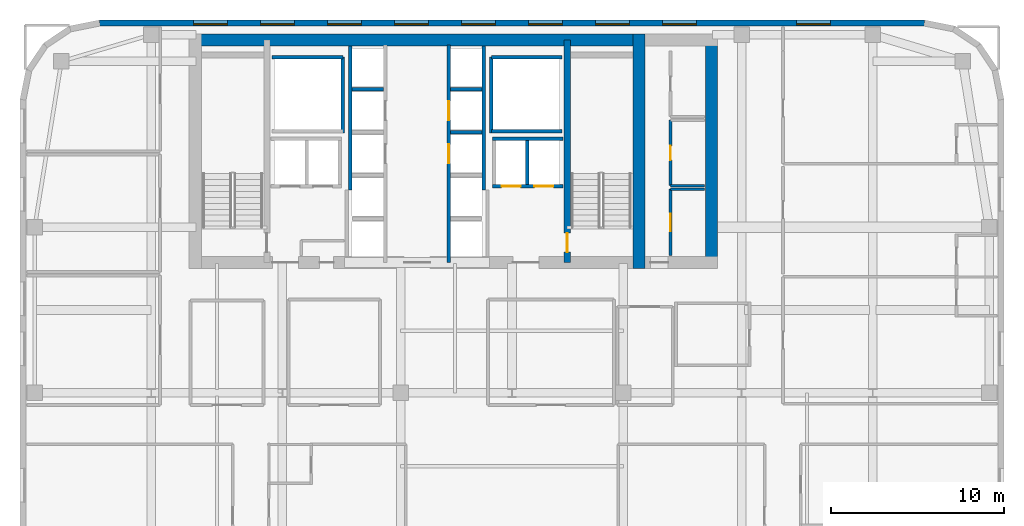
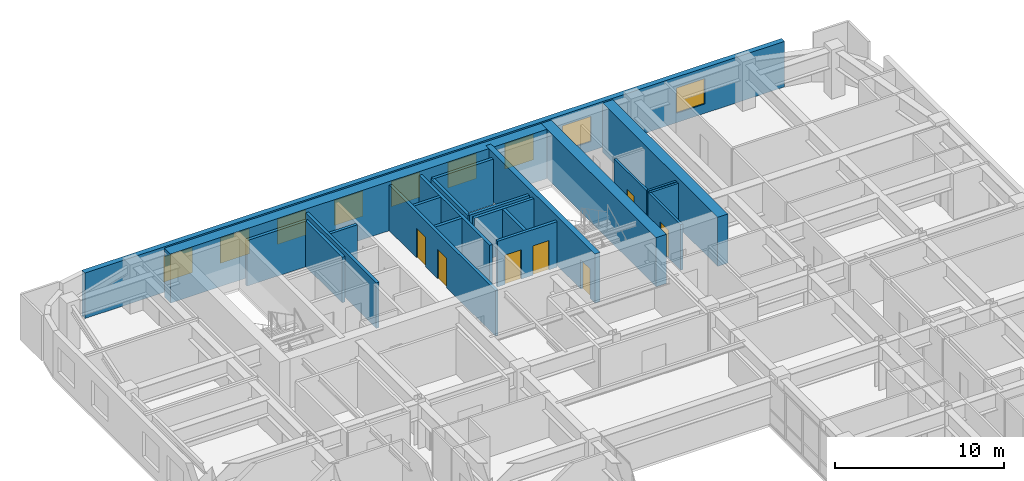
# One storey, part 13 of 15: 23 walls, 9 windows, 7 doors, 16 openings.
"""IFC4 building model written with IfcOpenShell, lengths in metres."""

from ifc_helpers import new_model, si_unit, direction, frame, frame_2d, origin, place, context, subcontext, project, spatial, rectangle, extrude, source, transform, mapped, material, layer, layer_set, type_object, type_shapes, element, fill, save


model = new_model("IFC4")

# Units and contexts
model_context = context("Model", 3, precision=1e-05, world=origin(), true_north=direction((0.0, 1.0)))
body_context = subcontext(model_context, "Body", "Model", "MODEL_VIEW")
ifc_project = project(units=[si_unit("LENGTHUNIT", "METRE"), si_unit("AREAUNIT", "SQUARE_METRE"), si_unit("VOLUMEUNIT", "CUBIC_METRE"), si_unit("PLANEANGLEUNIT", "RADIAN"), si_unit("MASSUNIT", "GRAM", prefix="KILO")], contexts=[model_context])

# Site, building, storey
site_placement = place(None, origin())
site = spatial("IfcSite", under=ifc_project, at=site_placement, CompositionType="ELEMENT")
building_placement = place(site_placement, origin())
building = spatial("IfcBuilding", under=site, at=building_placement, Name="Tolvann Quenvar Hotel", CompositionType="ELEMENT")
storey_placement = place(building_placement, frame((0.0, 0.0, 143.5)))
storey = spatial("IfcBuildingStorey", under=building, at=storey_placement, Name="L37", CompositionType="ELEMENT", Elevation=143.5)

# Walls
ifc_material_1 = material(Name="Concrete S65 (65 MPa)", Category="concrete")
ifc_layer_1 = layer(ifc_material_1, 0.699951171875)
ifc_layer_set_1 = layer_set([ifc_layer_1], Name="Concrete S65 (65 MPa)")
wall_type_1 = type_object("IfcWallType", Name="WALL_CORE_700", PredefinedType="SHEAR", material=ifc_layer_set_1)
wall_1_placement = place(storey_placement, frame((9.800048828125, 44.85009765625, 0.0), z_axis=(0.0, 0.0, 1.0), x_axis=(1.0, 0.0, 0.0)))
element("IfcWall", 1, at=wall_1_placement, inside=storey, type_object=wall_type_1, Name="Rear Core N Shear Wall (L37)", PredefinedType="SHEAR", context=body_context, shape_type="SweptSolid", body=[
    extrude(rectangle(XDim=26.39990234375, YDim=0.699951171875, at=frame_2d((13.199951171875, 0.0))), origin(), (0.0, 0.0, 1.0), 3.550048828125),
])
for number, where, z_axis, x_axis, name in (
    (2, (35.85009765625, 31.60009765625, 0.0), (0.0, 0.0, 1.0), (0.0, 1.0, 0.0), "Rear Core E Shear Wall (L37)"),
    (3, (40.050048828125, 31.60009765625, 0.0), (0.0, 0.0, 1.0), (0.0, 1.0, 0.0), "Core East Annex Shear Wall ANN-E (L37)"),
):
    element("IfcWall", number, at=place(storey_placement, frame(where, z_axis=z_axis, x_axis=x_axis)), inside=storey, type_object=wall_type_1, Name=name, PredefinedType="SHEAR", context=body_context, shape_type="SweptSolid", body=[
        extrude(rectangle(XDim=13.599853515625, YDim=0.699951171875, at=frame_2d((6.7998046875, 0.0))), origin(), (0.0, 0.0, 1.0), 3.550048828125),
    ])

# Wall, opening, door
ifc_layer_2 = layer(ifc_material_1, 0.35009765625)
ifc_layer_set_2 = layer_set([ifc_layer_2], Name="Concrete S65 (65 MPa)")
wall_type_2 = type_object("IfcWallType", Name="WALL_CORE_INT_350", PredefinedType="SHEAR", material=ifc_layer_set_2)
wall_2_placement = place(storey_placement, frame((31.699951171875, 31.949951171875, 0.0), z_axis=(0.0, 0.0, 1.0), x_axis=(0.0, 1.0, 0.0)))
wall_2 = element("IfcWall", 4, at=wall_2_placement, inside=storey, type_object=wall_type_2, Name="Core Internal Web Shear Wall WEB-E (L37)", PredefinedType="SHEAR", context=body_context, shape_type="SweptSolid", body=[
    extrude(rectangle(XDim=12.900146484375, YDim=0.35009765625, at=frame_2d((6.4501953125, 0.0))), origin(), (0.0, 0.0, 1.0), 3.550048828125),
])
opening_1_placement = place(wall_2_placement, frame((1.7001953125, 0.0, 0.0), z_axis=(0.0, 0.0, 1.0), x_axis=(-1.0, 0.0, 0.0)))
opening_1 = element("IfcOpeningElement", 5, at=opening_1_placement, cuts=wall_2, Name="Opening FD-120", PredefinedType="OPENING", context=body_context, shape_type="SweptSolid", body=[
    extrude(rectangle(XDim=1.10009765625, YDim=2.1201171875, at=frame_2d((0.550048828125, 1.06005859375))), frame((0.0, 0.18505859375, 0.0), z_axis=(0.0, -1.0, 0.0), x_axis=(1.0, 0.0, 0.0)), (0.0, 0.0, 1.0), 0.3701171875),
])
ifc_material_2 = material(Name="Pressed galvanised steel fire-rated door set", Category="steel")
door_type_1 = type_object("IfcDoorType", Name="DOOR_FIRE_STAIR_1100", OperationType="NOTDEFINED", PredefinedType="DOOR", material=ifc_material_2)
shared_shape_1 = source(origin(), body_context, "Body", "SweptSolid", [
    extrude(rectangle(XDim=1.10009765625, YDim=2.1201171875, at=frame_2d((0.550048828125, 1.06005859375))), frame((0.0, 0.02490234375, 0.0), z_axis=(0.0, -1.0, 0.0), x_axis=(1.0, 0.0, 0.0)), (0.0, 0.0, 1.0), 0.050048828125),
])
type_shapes(door_type_1, [shared_shape_1])
door_1_placement = place(opening_1_placement, origin())
door_1 = element("IfcDoor", 6, at=door_1_placement, inside=storey, type_object=door_type_1, Name="Exit Stair ST-C2 Fire Door (L37)", OperationType="SINGLE_SWING_RIGHT", OverallHeight=2.1201171875, OverallWidth=1.10009765625, PredefinedType="DOOR", context=body_context, shape_type="MappedRepresentation", body=[
    mapped(shared_shape_1, transform((0.0, 0.0, 0.0), x_axis=(1.0, 0.0, 0.0), y_axis=(0.0, 1.0, 0.0), z_axis=(0.0, 0.0, 1.0), scale=1.0)),
])
fill(opening_1, door_1)

# Wall, openings, windows
ifc_material_3 = material(Name="Kiln-fired red and buff architectural clay brickwork and terracotta masonry", Category="masonry")
ifc_layer_3 = layer(ifc_material_3, 0.35009765625)
ifc_layer_set_3 = layer_set([ifc_layer_3], Name="Kiln-fired red and buff architectural clay brickwork and terracotta masonry")
wall_type_3 = type_object("IfcWallType", Name="WALL_EXT_BRICK_350", PredefinedType="SOLIDWALL", material=ifc_layer_set_3)
wall_3_placement = place(storey_placement, frame((52.3828125, 45.824951171875, 0.0), z_axis=(0.0, 0.0, 1.0), x_axis=(-1.0, 0.0, 0.0)))
wall_3 = element("IfcWall", 7, at=wall_3_placement, inside=storey, type_object=wall_type_3, Name="Exterior Chicago Brick Wall L37-E18", PredefinedType="SOLIDWALL", context=body_context, shape_type="SweptSolid", body=[
    extrude(rectangle(XDim=47.765625, YDim=0.35009765625, at=frame_2d((23.8828125, 0.0))), origin(), (0.0, 0.0, 1.0), 3.2900390625),
])
opening_2_placement = place(wall_3_placement, frame((5.446044921875, 0.0, 0.679931640625)))
opening_2 = element("IfcOpeningElement", 8, at=opening_2_placement, cuts=wall_3, Name="Opening W-10", PredefinedType="OPENING", context=body_context, shape_type="SweptSolid", body=[
    extrude(rectangle(XDim=1.949951171875, YDim=1.820068359375, at=frame_2d((0.97509765625, 0.91015625))), frame((0.0, 0.18505859375, 0.0), z_axis=(0.0, -1.0, 0.0), x_axis=(1.0, 0.0, 0.0)), (0.0, 0.0, 1.0), 0.3701171875),
])
opening_3_placement = place(wall_3_placement, frame((13.20703125, 0.0, 0.679931640625)))
opening_3 = element("IfcOpeningElement", 9, at=opening_3_placement, cuts=wall_3, Name="Opening W-10", PredefinedType="OPENING", context=body_context, shape_type="SweptSolid", body=[
    extrude(rectangle(XDim=1.949951171875, YDim=1.820068359375, at=frame_2d((0.97509765625, 0.91015625))), frame((0.0, 0.18505859375, 0.0), z_axis=(0.0, -1.0, 0.0), x_axis=(1.0, 0.0, 0.0)), (0.0, 0.0, 1.0), 0.3701171875),
])
opening_4_placement = place(wall_3_placement, frame((17.0869140625, 0.0, 0.679931640625)))
opening_4 = element("IfcOpeningElement", 10, at=opening_4_placement, cuts=wall_3, Name="Opening W-10", PredefinedType="OPENING", context=body_context, shape_type="SweptSolid", body=[
    extrude(rectangle(XDim=1.949951171875, YDim=1.820068359375, at=frame_2d((0.97509765625, 0.91015625))), frame((0.0, 0.18505859375, 0.0), z_axis=(0.0, -1.0, 0.0), x_axis=(1.0, 0.0, 0.0)), (0.0, 0.0, 1.0), 0.3701171875),
])
opening_5_placement = place(wall_3_placement, frame((20.968017578125, 0.0, 0.679931640625)))
opening_5 = element("IfcOpeningElement", 11, at=opening_5_placement, cuts=wall_3, Name="Opening W-10", PredefinedType="OPENING", context=body_context, shape_type="SweptSolid", body=[
    extrude(rectangle(XDim=1.949951171875, YDim=1.820068359375, at=frame_2d((0.97509765625, 0.91015625))), frame((0.0, 0.18505859375, 0.0), z_axis=(0.0, -1.0, 0.0), x_axis=(1.0, 0.0, 0.0)), (0.0, 0.0, 1.0), 0.3701171875),
])
opening_6_placement = place(wall_3_placement, frame((24.847900390625, 0.0, 0.679931640625)))
opening_6 = element("IfcOpeningElement", 12, at=opening_6_placement, cuts=wall_3, Name="Opening W-10", PredefinedType="OPENING", context=body_context, shape_type="SweptSolid", body=[
    extrude(rectangle(XDim=1.949951171875, YDim=1.820068359375, at=frame_2d((0.97509765625, 0.91015625))), frame((0.0, 0.18505859375, 0.0), z_axis=(0.0, -1.0, 0.0), x_axis=(1.0, 0.0, 0.0)), (0.0, 0.0, 1.0), 0.3701171875),
])
opening_7_placement = place(wall_3_placement, frame((28.72900390625, 0.0, 0.679931640625)))
opening_7 = element("IfcOpeningElement", 13, at=opening_7_placement, cuts=wall_3, Name="Opening W-10", PredefinedType="OPENING", context=body_context, shape_type="SweptSolid", body=[
    extrude(rectangle(XDim=1.949951171875, YDim=1.820068359375, at=frame_2d((0.97509765625, 0.91015625))), frame((0.0, 0.18505859375, 0.0), z_axis=(0.0, -1.0, 0.0), x_axis=(1.0, 0.0, 0.0)), (0.0, 0.0, 1.0), 0.3701171875),
])
opening_8_placement = place(wall_3_placement, frame((32.60888671875, 0.0, 0.679931640625)))
opening_8 = element("IfcOpeningElement", 14, at=opening_8_placement, cuts=wall_3, Name="Opening W-10", PredefinedType="OPENING", context=body_context, shape_type="SweptSolid", body=[
    extrude(rectangle(XDim=1.949951171875, YDim=1.820068359375, at=frame_2d((0.97509765625, 0.91015625))), frame((0.0, 0.18505859375, 0.0), z_axis=(0.0, -1.0, 0.0), x_axis=(1.0, 0.0, 0.0)), (0.0, 0.0, 1.0), 0.3701171875),
])
opening_9_placement = place(wall_3_placement, frame((36.489013671875, 0.0, 0.679931640625)))
opening_9 = element("IfcOpeningElement", 15, at=opening_9_placement, cuts=wall_3, Name="Opening W-10", PredefinedType="OPENING", context=body_context, shape_type="SweptSolid", body=[
    extrude(rectangle(XDim=1.949951171875, YDim=1.820068359375, at=frame_2d((0.97509765625, 0.91015625))), frame((0.0, 0.18505859375, 0.0), z_axis=(0.0, -1.0, 0.0), x_axis=(1.0, 0.0, 0.0)), (0.0, 0.0, 1.0), 0.3701171875),
])
opening_10_placement = place(wall_3_placement, frame((40.3701171875, 0.0, 0.679931640625)))
opening_10 = element("IfcOpeningElement", 16, at=opening_10_placement, cuts=wall_3, Name="Opening W-10", PredefinedType="OPENING", context=body_context, shape_type="SweptSolid", body=[
    extrude(rectangle(XDim=1.949951171875, YDim=1.820068359375, at=frame_2d((0.97509765625, 0.91015625))), frame((0.0, 0.18505859375, 0.0), z_axis=(0.0, -1.0, 0.0), x_axis=(1.0, 0.0, 0.0)), (0.0, 0.0, 1.0), 0.3701171875),
])
ifc_material_4 = material(Name="Thermally broken bronze-anodised aluminium frame with double low-E glazing", Category="aluminium")
window_type = type_object("IfcWindowType", Name="WIN_CLB_1950x1850", PartitioningType="DOUBLE_PANEL_VERTICAL", PredefinedType="WINDOW", material=ifc_material_4)
shared_shape_2 = source(origin(), body_context, "Body", "SweptSolid", [
    extrude(rectangle(XDim=1.949951171875, YDim=1.820068359375, at=frame_2d((0.97509765625, 0.91015625))), frame((0.0, 0.090087890625, 0.0), z_axis=(0.0, -1.0, 0.0), x_axis=(1.0, 0.0, 0.0)), (0.0, 0.0, 1.0), 0.06005859375),
])
type_shapes(window_type, [shared_shape_2])
window_1_placement = place(opening_2_placement, origin())
window_1 = element("IfcWindow", 17, at=window_1_placement, inside=storey, type_object=window_type, Name="Chicago Window W-10 (EW-L37-E18-W01)", OverallHeight=1.820068359375, OverallWidth=1.949951171875, PartitioningType="DOUBLE_PANEL_VERTICAL", PredefinedType="WINDOW", context=body_context, shape_type="MappedRepresentation", body=[
    mapped(shared_shape_2, transform((0.0, 0.0, 0.0), x_axis=(1.0, 0.0, 0.0), y_axis=(0.0, 1.0, 0.0), z_axis=(0.0, 0.0, 1.0), scale=1.0)),
])
fill(opening_2, window_1)
window_2_placement = place(opening_3_placement, origin())
window_2 = element("IfcWindow", 18, at=window_2_placement, inside=storey, type_object=window_type, Name="Chicago Window W-10 (EW-L37-E18-W02)", OverallHeight=1.820068359375, OverallWidth=1.949951171875, PartitioningType="DOUBLE_PANEL_VERTICAL", PredefinedType="WINDOW", context=body_context, shape_type="MappedRepresentation", body=[
    mapped(shared_shape_2, transform((0.0, 0.0, 0.0), x_axis=(1.0, 0.0, 0.0), y_axis=(0.0, 1.0, 0.0), z_axis=(0.0, 0.0, 1.0), scale=1.0)),
])
fill(opening_3, window_2)
window_3_placement = place(opening_4_placement, origin())
window_3 = element("IfcWindow", 19, at=window_3_placement, inside=storey, type_object=window_type, Name="Chicago Window W-10 (EW-L37-E18-W03)", OverallHeight=1.820068359375, OverallWidth=1.949951171875, PartitioningType="DOUBLE_PANEL_VERTICAL", PredefinedType="WINDOW", context=body_context, shape_type="MappedRepresentation", body=[
    mapped(shared_shape_2, transform((0.0, 0.0, 0.0), x_axis=(1.0, 0.0, 0.0), y_axis=(0.0, 1.0, 0.0), z_axis=(0.0, 0.0, 1.0), scale=1.0)),
])
fill(opening_4, window_3)
window_4_placement = place(opening_5_placement, origin())
window_4 = element("IfcWindow", 20, at=window_4_placement, inside=storey, type_object=window_type, Name="Chicago Window W-10 (EW-L37-E18-W04)", OverallHeight=1.820068359375, OverallWidth=1.949951171875, PartitioningType="DOUBLE_PANEL_VERTICAL", PredefinedType="WINDOW", context=body_context, shape_type="MappedRepresentation", body=[
    mapped(shared_shape_2, transform((0.0, 0.0, 0.0), x_axis=(1.0, 0.0, 0.0), y_axis=(0.0, 1.0, 0.0), z_axis=(0.0, 0.0, 1.0), scale=1.0)),
])
fill(opening_5, window_4)
window_5_placement = place(opening_6_placement, origin())
window_5 = element("IfcWindow", 21, at=window_5_placement, inside=storey, type_object=window_type, Name="Chicago Window W-10 (EW-L37-E18-W05)", OverallHeight=1.820068359375, OverallWidth=1.949951171875, PartitioningType="DOUBLE_PANEL_VERTICAL", PredefinedType="WINDOW", context=body_context, shape_type="MappedRepresentation", body=[
    mapped(shared_shape_2, transform((0.0, 0.0, 0.0), x_axis=(1.0, 0.0, 0.0), y_axis=(0.0, 1.0, 0.0), z_axis=(0.0, 0.0, 1.0), scale=1.0)),
])
fill(opening_6, window_5)
window_6_placement = place(opening_7_placement, origin())
window_6 = element("IfcWindow", 22, at=window_6_placement, inside=storey, type_object=window_type, Name="Chicago Window W-10 (EW-L37-E18-W06)", OverallHeight=1.820068359375, OverallWidth=1.949951171875, PartitioningType="DOUBLE_PANEL_VERTICAL", PredefinedType="WINDOW", context=body_context, shape_type="MappedRepresentation", body=[
    mapped(shared_shape_2, transform((0.0, 0.0, 0.0), x_axis=(1.0, 0.0, 0.0), y_axis=(0.0, 1.0, 0.0), z_axis=(0.0, 0.0, 1.0), scale=1.0)),
])
fill(opening_7, window_6)
window_7_placement = place(opening_8_placement, origin())
window_7 = element("IfcWindow", 23, at=window_7_placement, inside=storey, type_object=window_type, Name="Chicago Window W-10 (EW-L37-E18-W07)", OverallHeight=1.820068359375, OverallWidth=1.949951171875, PartitioningType="DOUBLE_PANEL_VERTICAL", PredefinedType="WINDOW", context=body_context, shape_type="MappedRepresentation", body=[
    mapped(shared_shape_2, transform((0.0, 0.0, 0.0), x_axis=(1.0, 0.0, 0.0), y_axis=(0.0, 1.0, 0.0), z_axis=(0.0, 0.0, 1.0), scale=1.0)),
])
fill(opening_8, window_7)
window_8_placement = place(opening_9_placement, origin())
window_8 = element("IfcWindow", 24, at=window_8_placement, inside=storey, type_object=window_type, Name="Chicago Window W-10 (EW-L37-E18-W08)", OverallHeight=1.820068359375, OverallWidth=1.949951171875, PartitioningType="DOUBLE_PANEL_VERTICAL", PredefinedType="WINDOW", context=body_context, shape_type="MappedRepresentation", body=[
    mapped(shared_shape_2, transform((0.0, 0.0, 0.0), x_axis=(1.0, 0.0, 0.0), y_axis=(0.0, 1.0, 0.0), z_axis=(0.0, 0.0, 1.0), scale=1.0)),
])
fill(opening_9, window_8)
window_9_placement = place(opening_10_placement, origin())
window_9 = element("IfcWindow", 25, at=window_9_placement, inside=storey, type_object=window_type, Name="Chicago Window W-10 (EW-L37-E18-W09)", OverallHeight=1.820068359375, OverallWidth=1.949951171875, PartitioningType="DOUBLE_PANEL_VERTICAL", PredefinedType="WINDOW", context=body_context, shape_type="MappedRepresentation", body=[
    mapped(shared_shape_2, transform((0.0, 0.0, 0.0), x_axis=(1.0, 0.0, 0.0), y_axis=(0.0, 1.0, 0.0), z_axis=(0.0, 0.0, 1.0), scale=1.0)),
])
fill(opening_10, window_9)

# Wall
ifc_material_5 = material(Name="Acoustic twin-stud fire-rated gypsum plasterboard partition")
ifc_layer_4 = layer(ifc_material_5, 0.14990234375)
ifc_layer_set_4 = layer_set([ifc_layer_4], Name="Acoustic twin-stud fire-rated gypsum plasterboard partition")
wall_type_4 = type_object("IfcWallType", Name="WALL_PART_SUITE_150", PredefinedType="PARTITIONING", material=ifc_layer_set_4)
wall_4_placement = place(storey_placement, frame((37.679931640625, 36.199951171875, 0.0), z_axis=(0.0, 0.0, 1.0), x_axis=(1.0, 0.0, 0.0)))
element("IfcWall", 26, at=wall_4_placement, inside=storey, type_object=wall_type_4, Name="Interior Partition PT-SPC-L37-RECPL-1-N", PredefinedType="PARTITIONING", context=body_context, shape_type="SweptSolid", body=[
    extrude(rectangle(XDim=1.965087890625, YDim=0.14990234375, at=frame_2d((0.982421875, 0.0))), origin(), (0.0, 0.0, 1.0), 3.2900390625),
])

# Wall, opening, door
wall_5_placement = place(storey_placement, frame((37.679931640625, 32.35498046875, 0.0), z_axis=(0.0, 0.0, 1.0), x_axis=(0.0, 1.0, 0.0)))
wall_5 = element("IfcWall", 27, at=wall_5_placement, inside=storey, type_object=wall_type_4, Name="Interior Partition PT-SPC-L37-RECPL-1-W", PredefinedType="PARTITIONING", context=body_context, shape_type="SweptSolid", body=[
    extrude(rectangle(XDim=3.844970703125, YDim=0.14990234375, at=frame_2d((1.92236328125, 0.0))), origin(), (0.0, 0.0, 1.0), 3.2900390625),
])
opening_11_placement = place(wall_5_placement, frame((1.41259765625, 0.0, 0.0)))
opening_11 = element("IfcOpeningElement", 28, at=opening_11_placement, cuts=wall_5, Name="Opening HD-01", PredefinedType="OPENING", context=body_context, shape_type="SweptSolid", body=[
    extrude(rectangle(XDim=1.02001953125, YDim=2.030029296875, at=frame_2d((0.510009765625, 1.01513671875))), frame((0.0, 0.0849609375, 0.0), z_axis=(0.0, -1.0, 0.0), x_axis=(1.0, 0.0, 0.0)), (0.0, 0.0, 1.0), 0.169921875),
])
door_type_2 = type_object("IfcDoorType", Name="DOOR_BOH_1020", OperationType="NOTDEFINED", PredefinedType="DOOR", material=ifc_material_2)
shared_shape_3 = source(origin(), body_context, "Body", "SweptSolid", [
    extrude(rectangle(XDim=1.02001953125, YDim=2.030029296875, at=frame_2d((0.510009765625, 1.01513671875))), frame((0.0, 0.02490234375, 0.0), z_axis=(0.0, -1.0, 0.0), x_axis=(1.0, 0.0, 0.0)), (0.0, 0.0, 1.0), 0.050048828125),
])
type_shapes(door_type_2, [shared_shape_3])
door_2_placement = place(opening_11_placement, origin())
door_2 = element("IfcDoor", 29, at=door_2_placement, inside=storey, type_object=door_type_2, Name="Interior Door DOOR-SPC-L37-RECPL-1", OperationType="SINGLE_SWING_RIGHT", OverallHeight=2.030029296875, OverallWidth=1.02001953125, PredefinedType="DOOR", context=body_context, shape_type="MappedRepresentation", body=[
    mapped(shared_shape_3, transform((0.0, 0.0, 0.0), x_axis=(1.0, 0.0, 0.0), y_axis=(0.0, 1.0, 0.0), z_axis=(0.0, 0.0, 1.0), scale=1.0)),
])
fill(opening_11, door_2)

# Wall
wall_6_placement = place(storey_placement, frame((37.679931640625, 36.39990234375, 0.0), z_axis=(0.0, 0.0, 1.0), x_axis=(1.0, 0.0, 0.0)))
element("IfcWall", 30, at=wall_6_placement, inside=storey, type_object=wall_type_4, Name="Interior Partition PT-SPC-L37-CSE-1-S", PredefinedType="PARTITIONING", context=body_context, shape_type="SweptSolid", body=[
    extrude(rectangle(XDim=1.965087890625, YDim=0.14990234375, at=frame_2d((0.982421875, 0.0))), origin(), (0.0, 0.0, 1.0), 3.2900390625),
])

# Wall, opening, door
wall_7_placement = place(storey_placement, frame((37.679931640625, 36.39990234375, 0.0), z_axis=(0.0, 0.0, 1.0), x_axis=(0.0, 1.0, 0.0)))
wall_7 = element("IfcWall", 31, at=wall_7_placement, inside=storey, type_object=wall_type_4, Name="Interior Partition PT-SPC-L37-CSE-1-W", PredefinedType="PARTITIONING", context=body_context, shape_type="SweptSolid", body=[
    extrude(rectangle(XDim=3.800048828125, YDim=0.14990234375, at=frame_2d((1.89990234375, 0.0))), origin(), (0.0, 0.0, 1.0), 3.2900390625),
])
opening_12_placement = place(wall_7_placement, frame((1.489990234375, 0.0, 0.0)))
opening_12 = element("IfcOpeningElement", 32, at=opening_12_placement, cuts=wall_7, Name="Opening HD-02", PredefinedType="OPENING", context=body_context, shape_type="SweptSolid", body=[
    extrude(rectangle(XDim=0.820068359375, YDim=2.010009765625, at=frame_2d((0.41015625, 1.0048828125))), frame((0.0, 0.0849609375, 0.0), z_axis=(0.0, -1.0, 0.0), x_axis=(1.0, 0.0, 0.0)), (0.0, 0.0, 1.0), 0.169921875),
])
door_type_3 = type_object("IfcDoorType", Name="DOOR_STORE_820", OperationType="NOTDEFINED", PredefinedType="DOOR", material=ifc_material_2)
shared_shape_4 = source(origin(), body_context, "Body", "SweptSolid", [
    extrude(rectangle(XDim=0.820068359375, YDim=2.010009765625, at=frame_2d((0.41015625, 1.0048828125))), frame((0.0, 0.02490234375, 0.0), z_axis=(0.0, -1.0, 0.0), x_axis=(1.0, 0.0, 0.0)), (0.0, 0.0, 1.0), 0.050048828125),
])
type_shapes(door_type_3, [shared_shape_4])
door_3_placement = place(opening_12_placement, origin())
door_3 = element("IfcDoor", 33, at=door_3_placement, inside=storey, type_object=door_type_3, Name="Interior Door DOOR-SPC-L37-CSE-1", OperationType="SINGLE_SWING_LEFT", OverallHeight=2.010009765625, OverallWidth=0.820068359375, PredefinedType="DOOR", context=body_context, shape_type="MappedRepresentation", body=[
    mapped(shared_shape_4, transform((0.0, 0.0, 0.0), x_axis=(1.0, 0.0, 0.0), y_axis=(0.0, 1.0, 0.0), z_axis=(0.0, 0.0, 1.0), scale=1.0)),
])
fill(opening_12, door_3)

# Walls
ifc_material_6 = material(Name="Concrete N40 (40 MPa)", Category="concrete")
ifc_layer_5 = layer(ifc_material_6, 0.199951171875)
ifc_layer_set_5 = layer_set([ifc_layer_5], Name="Concrete N40 (40 MPa)")
wall_type_5 = type_object("IfcWallType", Name="WALL_SHAFT_200", PredefinedType="SOLIDWALL", material=ifc_layer_set_5)
wall_8_placement = place(storey_placement, frame((18.699951171875, 39.449951171875, 0.0), z_axis=(0.0, 0.0, 1.0), x_axis=(0.0, 1.0, 0.0)))
element("IfcWall", 34, at=wall_8_placement, inside=storey, type_object=wall_type_5, Name="Service Riser W Shaft Wall IN (L37)", PredefinedType="SOLIDWALL", context=body_context, shape_type="SweptSolid", body=[
    extrude(rectangle(XDim=4.400146484375, YDim=0.199951171875, at=frame_2d((2.2001953125, 0.0))), origin(), (0.0, 0.0, 1.0), 3.2900390625),
])
wall_9_placement = place(storey_placement, frame((14.60009765625, 43.85009765625, 0.0), z_axis=(0.0, 0.0, 1.0), x_axis=(1.0, 0.0, 0.0)))
element("IfcWall", 35, at=wall_9_placement, inside=storey, type_object=wall_type_5, Name="Service Riser W Shaft Wall N (L37)", PredefinedType="SOLIDWALL", context=body_context, shape_type="SweptSolid", body=[
    extrude(rectangle(XDim=4.099853515625, YDim=0.199951171875, at=frame_2d((2.0498046875, 0.0))), origin(), (0.0, 0.0, 1.0), 3.2900390625),
])
wall_10_placement = place(storey_placement, frame((27.300048828125, 39.449951171875, 0.0), z_axis=(0.0, 0.0, 1.0), x_axis=(0.0, 1.0, 0.0)))
element("IfcWall", 36, at=wall_10_placement, inside=storey, type_object=wall_type_5, Name="Service Riser E Shaft Wall IN (L37)", PredefinedType="SOLIDWALL", context=body_context, shape_type="SweptSolid", body=[
    extrude(rectangle(XDim=4.400146484375, YDim=0.199951171875, at=frame_2d((2.2001953125, 0.0))), origin(), (0.0, 0.0, 1.0), 3.2900390625),
])
for number, where, z_axis, x_axis, name in (
    (37, (27.300048828125, 39.550048828125, 0.0), (0.0, 0.0, 1.0), (1.0, 0.0, 0.0), "Service Riser E Shaft Wall S (L37)"),
    (38, (27.300048828125, 43.85009765625, 0.0), (0.0, 0.0, 1.0), (1.0, 0.0, 0.0), "Service Riser E Shaft Wall N (L37)"),
):
    element("IfcWall", number, at=place(storey_placement, frame(where, z_axis=z_axis, x_axis=x_axis)), inside=storey, type_object=wall_type_5, Name=name, PredefinedType="SOLIDWALL", context=body_context, shape_type="SweptSolid", body=[
        extrude(rectangle(XDim=4.099853515625, YDim=0.199951171875, at=frame_2d((2.0498046875, 0.0))), origin(), (0.0, 0.0, 1.0), 3.2900390625),
    ])
wall_11_placement = place(storey_placement, frame((19.1298828125, 36.159912109375, 0.0), z_axis=(0.0, 0.0, 1.0), x_axis=(0.0, 1.0, 0.0)))
element("IfcWall", 39, at=wall_11_placement, inside=storey, type_object=wall_type_5, Name="Lift Bank E21.1C1 Hoistway Rear Wall (L37)", PredefinedType="SOLIDWALL", context=body_context, shape_type="SweptSolid", body=[
    extrude(rectangle(XDim=8.336181640625, YDim=0.199951171875, at=frame_2d((4.16796875, 0.0))), origin(), (0.0, 0.0, 1.0), 3.2900390625),
])
wall_12_placement = place(storey_placement, frame((19.22998046875, 42.0, 0.0), z_axis=(0.0, 0.0, 1.0), x_axis=(1.0, 0.0, 0.0)))
element("IfcWall", 40, at=wall_12_placement, inside=storey, type_object=wall_type_5, Name="Lift Bank E21.1C1 Divider Wall 4 (L37)", PredefinedType="SOLIDWALL", context=body_context, shape_type="SweptSolid", body=[
    extrude(rectangle(XDim=1.840087890625, YDim=0.199951171875, at=frame_2d((0.919921875, 0.0))), origin(), (0.0, 0.0, 1.0), 3.2900390625),
])

# Wall, openings, doors
wall_13_placement = place(storey_placement, frame((27.375, 36.3798828125, 0.0), z_axis=(0.0, 0.0, 1.0), x_axis=(1.0, 0.0, 0.0)))
wall_13 = element("IfcWall", 41, at=wall_13_placement, inside=storey, type_object=wall_type_5, Name="Lift Bank SEC1 Hoistway Front Wall (L37)", PredefinedType="SOLIDWALL", context=body_context, shape_type="SweptSolid", body=[
    extrude(rectangle(XDim=4.074951171875, YDim=0.199951171875, at=frame_2d((2.03759765625, 0.0))), origin(), (0.0, 0.0, 1.0), 3.2900390625),
])
opening_13_placement = place(wall_13_placement, frame((0.52490234375, 0.0, 0.0)))
opening_13 = element("IfcOpeningElement", 42, at=opening_13_placement, cuts=wall_13, Name="Opening LD-01", PredefinedType="OPENING", context=body_context, shape_type="SweptSolid", body=[
    extrude(rectangle(XDim=1.10009765625, YDim=2.1201171875, at=frame_2d((0.550048828125, 1.06005859375))), frame((0.0, 0.10986328125, 0.0), z_axis=(0.0, -1.0, 0.0), x_axis=(1.0, 0.0, 0.0)), (0.0, 0.0, 1.0), 0.219970703125),
])
opening_14_placement = place(wall_13_placement, frame((2.425048828125, 0.0, 0.0)))
opening_14 = element("IfcOpeningElement", 43, at=opening_14_placement, cuts=wall_13, Name="Opening LD-01", PredefinedType="OPENING", context=body_context, shape_type="SweptSolid", body=[
    extrude(rectangle(XDim=1.10009765625, YDim=2.1201171875, at=frame_2d((0.550048828125, 1.06005859375))), frame((0.0, 0.10986328125, 0.0), z_axis=(0.0, -1.0, 0.0), x_axis=(1.0, 0.0, 0.0)), (0.0, 0.0, 1.0), 0.219970703125),
])
ifc_material_7 = material(Name="Brushed 316 stainless steel automatic sliding lift landing door", Category="steel")
door_type_4 = type_object("IfcDoorType", Name="DOOR_LIFT_SLIDE_1100", OperationType="NOTDEFINED", PredefinedType="DOOR", material=ifc_material_7)
shared_shape_5 = source(origin(), body_context, "Body", "SweptSolid", [
    extrude(rectangle(XDim=1.10009765625, YDim=2.1201171875, at=frame_2d((0.550048828125, 1.06005859375))), frame((0.0, 0.02490234375, 0.0), z_axis=(0.0, -1.0, 0.0), x_axis=(1.0, 0.0, 0.0)), (0.0, 0.0, 1.0), 0.050048828125),
])
type_shapes(door_type_4, [shared_shape_5])
door_4_placement = place(opening_13_placement, origin())
door_4 = element("IfcDoor", 44, at=door_4_placement, inside=storey, type_object=door_type_4, Name="Lift SV-2 Sliding Landing Door (L37)", OperationType="SLIDING_TO_LEFT", OverallHeight=2.1201171875, OverallWidth=1.10009765625, PredefinedType="DOOR", context=body_context, shape_type="MappedRepresentation", body=[
    mapped(shared_shape_5, transform((0.0, 0.0, 0.0), x_axis=(1.0, 0.0, 0.0), y_axis=(0.0, 1.0, 0.0), z_axis=(0.0, 0.0, 1.0), scale=1.0)),
])
fill(opening_13, door_4)
door_5_placement = place(opening_14_placement, origin())
door_5 = element("IfcDoor", 45, at=door_5_placement, inside=storey, type_object=door_type_4, Name="Lift FF-2 Sliding Landing Door (L37)", OperationType="SLIDING_TO_RIGHT", OverallHeight=2.1201171875, OverallWidth=1.10009765625, PredefinedType="DOOR", context=body_context, shape_type="MappedRepresentation", body=[
    mapped(shared_shape_5, transform((0.0, 0.0, 0.0), x_axis=(1.0, 0.0, 0.0), y_axis=(0.0, 1.0, 0.0), z_axis=(0.0, 0.0, 1.0), scale=1.0)),
])
fill(opening_14, door_5)

# Walls
wall_14_placement = place(storey_placement, frame((27.375, 39.1201171875, 0.0), z_axis=(0.0, 0.0, 1.0), x_axis=(1.0, 0.0, 0.0)))
element("IfcWall", 46, at=wall_14_placement, inside=storey, type_object=wall_type_5, Name="Lift Bank SEC1 Hoistway Rear Wall (L37)", PredefinedType="SOLIDWALL", context=body_context, shape_type="SweptSolid", body=[
    extrude(rectangle(XDim=4.074951171875, YDim=0.199951171875, at=frame_2d((2.03759765625, 0.0))), origin(), (0.0, 0.0, 1.0), 3.2900390625),
])
wall_15_placement = place(storey_placement, frame((29.387451171875, 36.47998046875, 0.0), z_axis=(0.0, 0.0, 1.0), x_axis=(0.0, 1.0, 0.0)))
element("IfcWall", 47, at=wall_15_placement, inside=storey, type_object=wall_type_5, Name="Lift Bank SEC1 Divider Wall 1 (L37)", PredefinedType="SOLIDWALL", context=body_context, shape_type="SweptSolid", body=[
    extrude(rectangle(XDim=2.5400390625, YDim=0.199951171875, at=frame_2d((1.27001953125, 0.0))), origin(), (0.0, 0.0, 1.0), 3.2900390625),
])

# Wall, openings, doors
wall_16_placement = place(storey_placement, frame((24.830078125, 31.9599609375, 0.0), z_axis=(0.0, 0.0, 1.0), x_axis=(0.0, 1.0, 0.0)))
wall_16 = element("IfcWall", 48, at=wall_16_placement, inside=storey, type_object=wall_type_5, Name="Lift Bank W24.9C1 Hoistway Front Wall (L37)", PredefinedType="SOLIDWALL", context=body_context, shape_type="SweptSolid", body=[
    extrude(rectangle(XDim=12.580078125, YDim=0.199951171875, at=frame_2d((6.2900390625, 0.0))), origin(), (0.0, 0.0, 1.0), 3.2900390625),
])
opening_15_placement = place(wall_16_placement, frame((5.739990234375, 0.0, 0.0)))
opening_15 = element("IfcOpeningElement", 49, at=opening_15_placement, cuts=wall_16, Name="Opening LD-01", PredefinedType="OPENING", context=body_context, shape_type="SweptSolid", body=[
    extrude(rectangle(XDim=1.10009765625, YDim=2.1201171875, at=frame_2d((0.550048828125, 1.06005859375))), frame((0.0, 0.10986328125, 0.0), z_axis=(0.0, -1.0, 0.0), x_axis=(1.0, 0.0, 0.0)), (0.0, 0.0, 1.0), 0.219970703125),
])
opening_16_placement = place(wall_16_placement, frame((8.239990234375, 0.0, 0.0)))
opening_16 = element("IfcOpeningElement", 50, at=opening_16_placement, cuts=wall_16, Name="Opening LD-01", PredefinedType="OPENING", context=body_context, shape_type="SweptSolid", body=[
    extrude(rectangle(XDim=1.10009765625, YDim=2.1201171875, at=frame_2d((0.550048828125, 1.06005859375))), frame((0.0, 0.10986328125, 0.0), z_axis=(0.0, -1.0, 0.0), x_axis=(1.0, 0.0, 0.0)), (0.0, 0.0, 1.0), 0.219970703125),
])
door_6_placement = place(opening_15_placement, origin())
door_6 = element("IfcDoor", 51, at=door_6_placement, inside=storey, type_object=door_type_4, Name="Lift PM-3 Sliding Landing Door (L37)", OperationType="SLIDING_TO_RIGHT", OverallHeight=2.1201171875, OverallWidth=1.10009765625, PredefinedType="DOOR", context=body_context, shape_type="MappedRepresentation", body=[
    mapped(shared_shape_5, transform((0.0, 0.0, 0.0), x_axis=(1.0, 0.0, 0.0), y_axis=(0.0, 1.0, 0.0), z_axis=(0.0, 0.0, 1.0), scale=1.0)),
])
fill(opening_15, door_6)
door_7_placement = place(opening_16_placement, origin())
door_7 = element("IfcDoor", 52, at=door_7_placement, inside=storey, type_object=door_type_4, Name="Lift PM-4 Sliding Landing Door (L37)", OperationType="SLIDING_TO_LEFT", OverallHeight=2.1201171875, OverallWidth=1.10009765625, PredefinedType="DOOR", context=body_context, shape_type="MappedRepresentation", body=[
    mapped(shared_shape_5, transform((0.0, 0.0, 0.0), x_axis=(1.0, 0.0, 0.0), y_axis=(0.0, 1.0, 0.0), z_axis=(0.0, 0.0, 1.0), scale=1.0)),
])
fill(opening_16, door_7)

# Walls
wall_17_placement = place(storey_placement, frame((26.8701171875, 36.159912109375, 0.0), z_axis=(0.0, 0.0, 1.0), x_axis=(0.0, 1.0, 0.0)))
element("IfcWall", 53, at=wall_17_placement, inside=storey, type_object=wall_type_5, Name="Lift Bank W24.9C1 Hoistway Rear Wall (L37)", PredefinedType="SOLIDWALL", context=body_context, shape_type="SweptSolid", body=[
    extrude(rectangle(XDim=8.336181640625, YDim=0.199951171875, at=frame_2d((4.16796875, 0.0))), origin(), (0.0, 0.0, 1.0), 3.2900390625),
])
for number, where, z_axis, x_axis, name in (
    (54, (24.929931640625, 39.5, 0.0), (0.0, 0.0, 1.0), (1.0, 0.0, 0.0), "Lift Bank W24.9C1 Divider Wall 3 (L37)"),
    (55, (24.929931640625, 42.0, 0.0), (0.0, 0.0, 1.0), (1.0, 0.0, 0.0), "Lift Bank W24.9C1 Divider Wall 4 (L37)"),
):
    element("IfcWall", number, at=place(storey_placement, frame(where, z_axis=z_axis, x_axis=x_axis)), inside=storey, type_object=wall_type_5, Name=name, PredefinedType="SOLIDWALL", context=body_context, shape_type="SweptSolid", body=[
        extrude(rectangle(XDim=1.840087890625, YDim=0.199951171875, at=frame_2d((0.919921875, 0.0))), origin(), (0.0, 0.0, 1.0), 3.2900390625),
    ])

save(model, "model.ifc")
